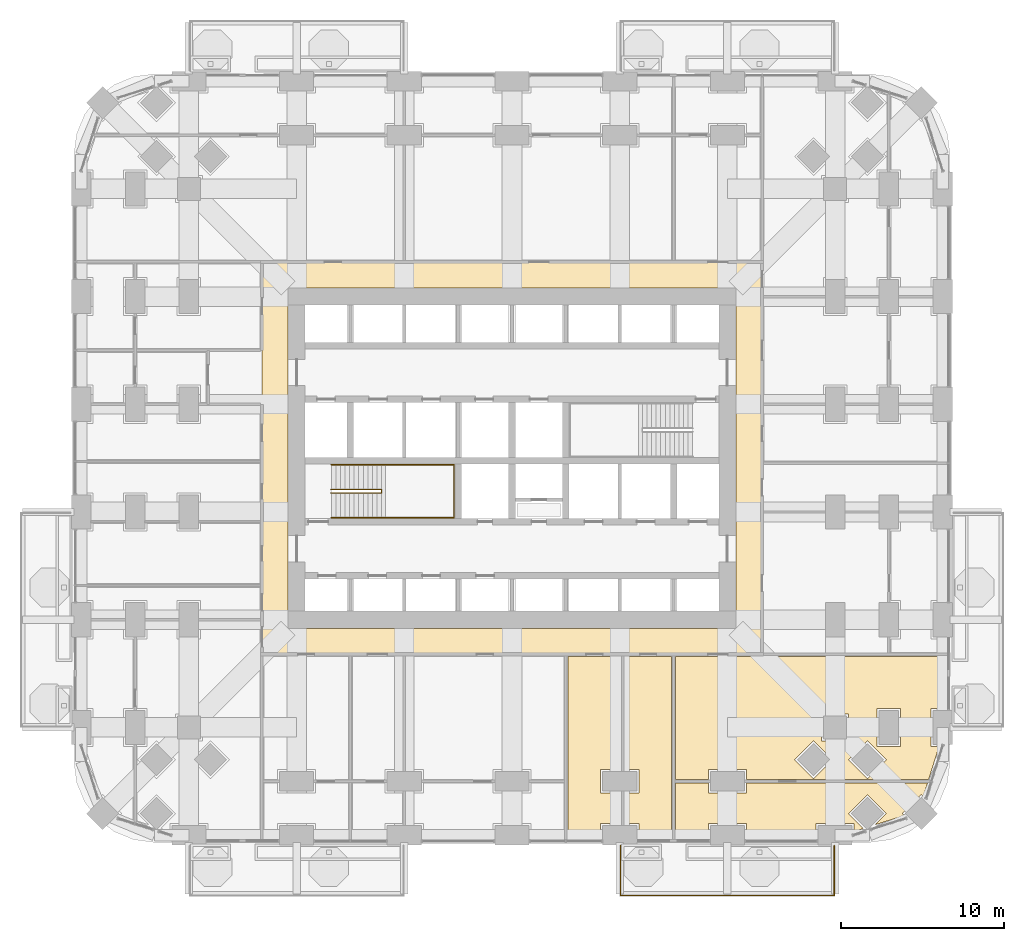
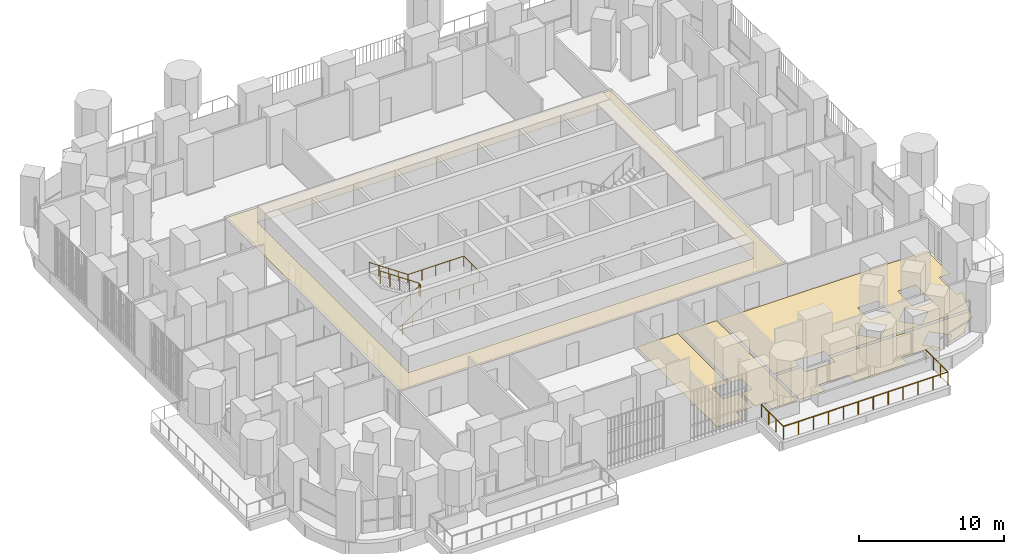
# One storey, part 24 of 27: 5 coverings, 3 railings.
"""IFC4 building model written with IfcOpenShell, lengths in metres."""

import ifcopenshell
import ifcopenshell.guid

model = None  # the IFC model being written
_history = None  # IfcOwnerHistory: only IFC2X3 demands one
_inside = {}  # id of a spatial element -> (the spatial element, [elements in it])
_under = {}  # id of a project, library or spatial element -> (it, [spatial elements below it])
_declared = {}  # id of a project -> (the project, [libraries it declares])
_typed = {}  # id of a type object -> (the type object, [elements of that type])
_made_of = {}  # id of a material, layer set ... -> (it, [elements and type objects made of it])


def new_model(schema):
    """Start an empty IFC model of exactly this schema.

    Asked for "IFC4X3", IfcOpenShell would pick the latest addendum, in which some entities
    have other attributes; the version numbers below select the first issue.
    IFC2X3 requires an IfcOwnerHistory on every rooted entity: one is made here for all.
    """
    global model, _history
    if schema == "IFC4X3":
        model = ifcopenshell.file(schema_version=(4, 3, 0, 0))
    else:
        model = ifcopenshell.file(schema=schema)
    _inside.clear()
    _under.clear()
    _declared.clear()
    _typed.clear()
    _made_of.clear()
    _history = None
    if model.schema == "IFC2X3":
        org = make("IfcOrganization", Name="unknown")
        user = make(
            "IfcPersonAndOrganization",
            ThePerson=make("IfcPerson", FamilyName="unknown"),
            TheOrganization=org,
        )
        app = make(
            "IfcApplication",
            ApplicationDeveloper=org,
            Version="unknown",
            ApplicationFullName="unknown",
            ApplicationIdentifier="unknown",
        )
        _history = make(
            "IfcOwnerHistory",
            OwningUser=user,
            OwningApplication=app,
            ChangeAction="ADDED",
            CreationDate=0,
        )
    return model


def make(cls, **values):
    """One entity of the class cls with the attributes given. An attribute that is None is left unset."""
    return model.create_entity(
        cls, **{name: value for name, value in values.items() if value is not None}
    )


def rooted(cls, **values):
    """An entity with a GlobalId (a new one), such as an element, a storey or a relation."""
    return make(cls, GlobalId=ifcopenshell.guid.new(), OwnerHistory=_history, **values)


def si_unit(unit_type, name, prefix=None):
    """IfcSIUnit, for example si_unit("LENGTHUNIT", "METRE", prefix="MILLI")."""
    return make("IfcSIUnit", UnitType=unit_type, Prefix=prefix, Name=name)


def assignment(units):
    """IfcUnitAssignment: the units of a project."""
    return None if units is None else make("IfcUnitAssignment", Units=units)


def point(xyz):
    """IfcCartesianPoint."""
    return None if xyz is None else make("IfcCartesianPoint", Coordinates=xyz)


def direction(xyz):
    """IfcDirection."""
    return None if xyz is None else make("IfcDirection", DirectionRatios=xyz)


def frame(location, z_axis=None, x_axis=None):
    """IfcAxis2Placement3D, a coordinate frame: its origin and axes. An axis left out is left unset."""
    return make(
        "IfcAxis2Placement3D",
        Location=point(location),
        Axis=direction(z_axis),
        RefDirection=direction(x_axis),
    )


def origin():
    """The frame at (0, 0, 0) with its axes left unset."""
    return frame((0.0, 0.0, 0.0))


def place(relative_to, where):
    """IfcLocalPlacement: puts the frame where relative to a parent placement (None: the world)."""
    return make(
        "IfcLocalPlacement", PlacementRelTo=relative_to, RelativePlacement=where
    )


def context(
    kind, dimensions, precision=None, world=None, true_north=None, identifier=None
):
    """IfcGeometricRepresentationContext, for example the 3D "Model" context."""
    return make(
        "IfcGeometricRepresentationContext",
        ContextIdentifier=identifier,
        ContextType=kind,
        CoordinateSpaceDimension=dimensions,
        Precision=precision,
        WorldCoordinateSystem=world,
        TrueNorth=true_north,
    )


def subcontext(parent, identifier, kind, view, scale=None):
    """IfcGeometricRepresentationSubContext, for example "Body" below "Model"."""
    return make(
        "IfcGeometricRepresentationSubContext",
        ContextIdentifier=identifier,
        ContextType=kind,
        ParentContext=parent,
        TargetScale=scale,
        TargetView=view,
    )


def project(units=None, contexts=None):
    """IfcProject with its units and contexts."""
    return rooted(
        "IfcProject",
        Name="project",
        RepresentationContexts=contexts,
        UnitsInContext=assignment(units),
    )


def spatial(cls, under=None, at=None, **own):
    """A site, building, storey or space (cls), placed at a placement, below another one or the project."""
    s = rooted(cls, ObjectPlacement=at, **own)
    if under is not None:
        _under.setdefault(under.id(), (under, []))[1].append(s)
    return s


def polyline(points):
    """IfcPolyline through the points."""
    return make("IfcPolyline", Points=[point(p) for p in points])


def outline(outer, holes=None, kind="AREA"):
    """IfcArbitraryClosedProfileDef: a profile drawn as a closed curve; with holes, ...WithVoids."""
    if holes is None:
        return make("IfcArbitraryClosedProfileDef", ProfileType=kind, OuterCurve=outer)
    return make(
        "IfcArbitraryProfileDefWithVoids",
        ProfileType=kind,
        OuterCurve=outer,
        InnerCurves=holes,
    )


def extrude(swept, where, along, depth):
    """IfcExtrudedAreaSolid: the profile swept, set in the frame where, extruded along a direction by depth."""
    return make(
        "IfcExtrudedAreaSolid",
        SweptArea=swept,
        Position=where,
        ExtrudedDirection=direction(along),
        Depth=depth,
    )


def shape(context_of_items, identifier, shape_type, items):
    """IfcShapeRepresentation: the items that make up one representation, for example the "Body"."""
    return make(
        "IfcShapeRepresentation",
        ContextOfItems=context_of_items,
        RepresentationIdentifier=identifier,
        RepresentationType=shape_type,
        Items=items,
    )


def material(Name=None, Category=None):
    """IfcMaterial."""
    return make("IfcMaterial", Name=Name, Category=Category)


def layer(
    of_material, thickness, ventilated=None, Name=None, Category=None, Priority=None
):
    """IfcMaterialLayer: one layer of a wall or slab, of a material (None: an air gap)."""
    return make(
        "IfcMaterialLayer",
        Material=of_material,
        LayerThickness=thickness,
        IsVentilated=ventilated,
        Name=Name,
        Category=Category,
        Priority=Priority,
    )


def layer_set(layers, Name=None):
    """IfcMaterialLayerSet."""
    return make("IfcMaterialLayerSet", MaterialLayers=layers, LayerSetName=Name)


def made_of(thing, what):
    """Note that an element or type object is made of a material, layer set ...; save() writes the relation."""
    if what is not None:
        _made_of.setdefault(what.id(), (what, []))[1].append(thing)
    return thing


def type_object(cls, material=None, **own):
    """A type object (cls), such as IfcWallType, which elements share."""
    return made_of(rooted(cls, **own), material)


def element(
    cls,
    number,
    at=None,
    inside=None,
    cuts=None,
    type_object=None,
    material=None,
    context=None,
    identifier="Body",
    shape_type=None,
    held_by="IfcProductDefinitionShape",
    body=None,
    shapes=None,
    **own,
):
    """One element of the class cls, such as IfcWall. Its Tag is "e" and its number.

    at: its placement. inside: the storey or other place that contains it. cuts: it is an
    opening in that element (IfcRelVoidsElement). A single representation is given by context,
    identifier, shape_type and body (its items); several are given by shapes. held_by: the class
    of the entity that holds the representations. save() writes the other relations.
    """
    e = rooted(cls, Tag="e%d" % number, ObjectPlacement=at, **own)
    if body is not None:
        shapes = [shape(context, identifier, shape_type, body)]
    if shapes is not None:
        e.Representation = make(held_by, Representations=shapes)
    if inside is not None:
        _inside.setdefault(inside.id(), (inside, []))[1].append(e)
    if cuts is not None:
        rooted(
            "IfcRelVoidsElement", RelatingBuildingElement=cuts, RelatedOpeningElement=e
        )
    if type_object is not None:
        _typed.setdefault(type_object.id(), (type_object, []))[1].append(e)
    return made_of(e, material)


def aggregate(whole, parts):
    """IfcRelAggregates: a whole, such as a stair, and the parts it consists of."""
    return rooted("IfcRelAggregates", RelatingObject=whole, RelatedObjects=parts)


def save(model, path):
    """Write the relations noted so far, then the file.

    IfcRelAggregates (storeys below a building ...), IfcRelContainedInSpatialStructure (elements
    in a storey), IfcRelDefinesByType, IfcRelAssociatesMaterial and IfcRelDeclares: one each for
    every whole, place, type object, material and project.
    """
    for whole, parts in _under.values():
        aggregate(whole, parts)
    for where, things in _inside.values():
        rooted(
            "IfcRelContainedInSpatialStructure",
            RelatedElements=things,
            RelatingStructure=where,
        )
    for kind, things in _typed.values():
        rooted("IfcRelDefinesByType", RelatedObjects=things, RelatingType=kind)
    for what, things in _made_of.values():
        rooted("IfcRelAssociatesMaterial", RelatedObjects=things, RelatingMaterial=what)
    for by, libraries in _declared.values():
        rooted("IfcRelDeclares", RelatingContext=by, RelatedDefinitions=libraries)
    model.write(path)


model = new_model("IFC4")

# Units and contexts
model_context = context("Model", 3, precision=1e-05, world=origin(), true_north=direction((0.0, 1.0)))
body_context = subcontext(model_context, "Body", "Model", "MODEL_VIEW")
ifc_project = project(units=[si_unit("LENGTHUNIT", "METRE"), si_unit("AREAUNIT", "SQUARE_METRE"), si_unit("VOLUMEUNIT", "CUBIC_METRE"), si_unit("PLANEANGLEUNIT", "RADIAN"), si_unit("MASSUNIT", "GRAM", prefix="KILO")], contexts=[model_context])

# Site, building, storey
site_placement = place(None, origin())
site = spatial("IfcSite", under=ifc_project, at=site_placement, CompositionType="ELEMENT")
building_placement = place(site_placement, origin())
building = spatial("IfcBuilding", under=site, at=building_placement, Name="Cobogo Forest Laboratory Tower", CompositionType="ELEMENT")
storey_placement = place(building_placement, frame((0.0, 0.0, 46.5)))
storey = spatial("IfcBuildingStorey", under=building, at=storey_placement, Name="L10", CompositionType="ELEMENT", Elevation=46.5)

# Railing
ifc_material_1 = material(Name="Laminated glass balustrade", Category="glass")
railing_type_1 = type_object("IfcRailingType", Name="BG1 glass balustrade 1100", PredefinedType="GUARDRAIL", material=ifc_material_1)
railing_1_placement = place(storey_placement, frame((33.050048828125, -0.64990234375, 0.0)))
element("IfcRailing", 1, at=railing_1_placement, inside=storey, type_object=railing_type_1, Name="Balcony balustrade BAL-S2 L10", PredefinedType="GUARDRAIL", context=body_context, shape_type="SweptSolid", body=[
    extrude(outline(polyline([(0.022216796875, 0.00927734375), (0.00927734375, 0.022216796875), (-0.00927734375, 0.022216796875), (-0.022216796875, 0.00927734375), (-0.022216796875, -0.00927734375), (-0.00927734375, -0.022216796875), (0.00927734375, -0.022216796875), (0.022216796875, -0.00927734375), (0.022216796875, 0.00927734375)])), frame((0.0, 0.0, 1.077880859375), z_axis=(0.0, -1.0, 0.0), x_axis=(1.0, 0.0, 0.0)), (0.0, 0.0, 1.0), 3.050048828125),
    extrude(outline(polyline([(0.022216796875, 0.00927734375), (0.00927734375, 0.022216796875), (-0.00927734375, 0.022216796875), (-0.022216796875, 0.00927734375), (-0.022216796875, -0.00927734375), (-0.00927734375, -0.022216796875), (0.00927734375, -0.022216796875), (0.022216796875, -0.00927734375), (0.022216796875, 0.00927734375)])), frame((0.0, -3.050048828125, 1.077880859375), z_axis=(1.0, 0.0, 0.0), x_axis=(0.0, 1.0, 0.0)), (0.0, 0.0, 1.0), 13.099853515625),
    extrude(outline(polyline([(0.022216796875, 0.00927734375), (0.00927734375, 0.022216796875), (-0.00927734375, 0.022216796875), (-0.022216796875, 0.00927734375), (-0.022216796875, -0.00927734375), (-0.00927734375, -0.022216796875), (0.00927734375, -0.022216796875), (0.022216796875, -0.00927734375), (0.022216796875, 0.00927734375)])), frame((13.099853515625, -3.050048828125, 1.077880859375), z_axis=(0.0, 1.0, 0.0), x_axis=(-1.0, 0.0, 0.0)), (0.0, 0.0, 1.0), 3.050048828125),
    extrude(outline(polyline([(0.019287109375, 0.008056640625), (0.008056640625, 0.019287109375), (-0.008056640625, 0.019287109375), (-0.019287109375, 0.008056640625), (-0.019287109375, -0.008056640625), (-0.008056640625, -0.019287109375), (0.008056640625, -0.019287109375), (0.019287109375, -0.008056640625), (0.019287109375, 0.008056640625)])), origin(), (0.0, 0.0, 1.0), 1.077880859375),
    extrude(outline(polyline([(0.019287109375, 0.008056640625), (0.008056640625, 0.019287109375), (-0.008056640625, 0.019287109375), (-0.019287109375, 0.008056640625), (-0.019287109375, -0.008056640625), (-0.008056640625, -0.019287109375), (0.008056640625, -0.019287109375), (0.019287109375, -0.008056640625), (0.019287109375, 0.008056640625)])), frame((0.0, -1.0166015625, 0.0)), (0.0, 0.0, 1.0), 1.077880859375),
    extrude(outline(polyline([(0.019287109375, 0.008056640625), (0.008056640625, 0.019287109375), (-0.008056640625, 0.019287109375), (-0.019287109375, 0.008056640625), (-0.019287109375, -0.008056640625), (-0.008056640625, -0.019287109375), (0.008056640625, -0.019287109375), (0.019287109375, -0.008056640625), (0.019287109375, 0.008056640625)])), frame((0.0, -2.033447265625, 0.0)), (0.0, 0.0, 1.0), 1.077880859375),
    extrude(outline(polyline([(0.019287109375, 0.008056640625), (0.008056640625, 0.019287109375), (-0.008056640625, 0.019287109375), (-0.019287109375, 0.008056640625), (-0.019287109375, -0.008056640625), (-0.008056640625, -0.019287109375), (0.008056640625, -0.019287109375), (0.019287109375, -0.008056640625), (0.019287109375, 0.008056640625)])), frame((0.0, -3.050048828125, 0.0)), (0.0, 0.0, 1.0), 1.077880859375),
    extrude(outline(polyline([(0.019287109375, 0.008056640625), (0.008056640625, 0.019287109375), (-0.008056640625, 0.019287109375), (-0.019287109375, 0.008056640625), (-0.019287109375, -0.008056640625), (-0.008056640625, -0.019287109375), (0.008056640625, -0.019287109375), (0.019287109375, -0.008056640625), (0.019287109375, 0.008056640625)])), frame((1.19091796875, -3.050048828125, 0.0)), (0.0, 0.0, 1.0), 1.077880859375),
    extrude(outline(polyline([(0.019287109375, 0.008056640625), (0.008056640625, 0.019287109375), (-0.008056640625, 0.019287109375), (-0.019287109375, 0.008056640625), (-0.019287109375, -0.008056640625), (-0.008056640625, -0.019287109375), (0.008056640625, -0.019287109375), (0.019287109375, -0.008056640625), (0.019287109375, 0.008056640625)])), frame((2.3818359375, -3.050048828125, 0.0)), (0.0, 0.0, 1.0), 1.077880859375),
    extrude(outline(polyline([(0.019287109375, 0.008056640625), (0.008056640625, 0.019287109375), (-0.008056640625, 0.019287109375), (-0.019287109375, 0.008056640625), (-0.019287109375, -0.008056640625), (-0.008056640625, -0.019287109375), (0.008056640625, -0.019287109375), (0.019287109375, -0.008056640625), (0.019287109375, 0.008056640625)])), frame((3.57275390625, -3.050048828125, 0.0)), (0.0, 0.0, 1.0), 1.077880859375),
    extrude(outline(polyline([(0.019287109375, 0.008056640625), (0.008056640625, 0.019287109375), (-0.008056640625, 0.019287109375), (-0.019287109375, 0.008056640625), (-0.019287109375, -0.008056640625), (-0.008056640625, -0.019287109375), (0.008056640625, -0.019287109375), (0.019287109375, -0.008056640625), (0.019287109375, 0.008056640625)])), frame((4.763671875, -3.050048828125, 0.0)), (0.0, 0.0, 1.0), 1.077880859375),
    extrude(outline(polyline([(0.019287109375, 0.008056640625), (0.008056640625, 0.019287109375), (-0.008056640625, 0.019287109375), (-0.019287109375, 0.008056640625), (-0.019287109375, -0.008056640625), (-0.008056640625, -0.019287109375), (0.008056640625, -0.019287109375), (0.019287109375, -0.008056640625), (0.019287109375, 0.008056640625)])), frame((5.95458984375, -3.050048828125, 0.0)), (0.0, 0.0, 1.0), 1.077880859375),
    extrude(outline(polyline([(0.019287109375, 0.008056640625), (0.008056640625, 0.019287109375), (-0.008056640625, 0.019287109375), (-0.019287109375, 0.008056640625), (-0.019287109375, -0.008056640625), (-0.008056640625, -0.019287109375), (0.008056640625, -0.019287109375), (0.019287109375, -0.008056640625), (0.019287109375, 0.008056640625)])), frame((7.145263671875, -3.050048828125, 0.0)), (0.0, 0.0, 1.0), 1.077880859375),
    extrude(outline(polyline([(0.019287109375, 0.008056640625), (0.008056640625, 0.019287109375), (-0.008056640625, 0.019287109375), (-0.019287109375, 0.008056640625), (-0.019287109375, -0.008056640625), (-0.008056640625, -0.019287109375), (0.008056640625, -0.019287109375), (0.019287109375, -0.008056640625), (0.019287109375, 0.008056640625)])), frame((8.336181640625, -3.050048828125, 0.0)), (0.0, 0.0, 1.0), 1.077880859375),
    extrude(outline(polyline([(0.019287109375, 0.008056640625), (0.008056640625, 0.019287109375), (-0.008056640625, 0.019287109375), (-0.019287109375, 0.008056640625), (-0.019287109375, -0.008056640625), (-0.008056640625, -0.019287109375), (0.008056640625, -0.019287109375), (0.019287109375, -0.008056640625), (0.019287109375, 0.008056640625)])), frame((9.527099609375, -3.050048828125, 0.0)), (0.0, 0.0, 1.0), 1.077880859375),
    extrude(outline(polyline([(0.019287109375, 0.008056640625), (0.008056640625, 0.019287109375), (-0.008056640625, 0.019287109375), (-0.019287109375, 0.008056640625), (-0.019287109375, -0.008056640625), (-0.008056640625, -0.019287109375), (0.008056640625, -0.019287109375), (0.019287109375, -0.008056640625), (0.019287109375, 0.008056640625)])), frame((10.718017578125, -3.050048828125, 0.0)), (0.0, 0.0, 1.0), 1.077880859375),
    extrude(outline(polyline([(0.019287109375, 0.008056640625), (0.008056640625, 0.019287109375), (-0.008056640625, 0.019287109375), (-0.019287109375, 0.008056640625), (-0.019287109375, -0.008056640625), (-0.008056640625, -0.019287109375), (0.008056640625, -0.019287109375), (0.019287109375, -0.008056640625), (0.019287109375, 0.008056640625)])), frame((11.908935546875, -3.050048828125, 0.0)), (0.0, 0.0, 1.0), 1.077880859375),
    extrude(outline(polyline([(0.019287109375, 0.008056640625), (0.008056640625, 0.019287109375), (-0.008056640625, 0.019287109375), (-0.019287109375, 0.008056640625), (-0.019287109375, -0.008056640625), (-0.008056640625, -0.019287109375), (0.008056640625, -0.019287109375), (0.019287109375, -0.008056640625), (0.019287109375, 0.008056640625)])), frame((13.099853515625, -3.050048828125, 0.0)), (0.0, 0.0, 1.0), 1.077880859375),
    extrude(outline(polyline([(0.019287109375, 0.008056640625), (0.008056640625, 0.019287109375), (-0.008056640625, 0.019287109375), (-0.019287109375, 0.008056640625), (-0.019287109375, -0.008056640625), (-0.008056640625, -0.019287109375), (0.008056640625, -0.019287109375), (0.019287109375, -0.008056640625), (0.019287109375, 0.008056640625)])), frame((13.099853515625, -2.033447265625, 0.0)), (0.0, 0.0, 1.0), 1.077880859375),
    extrude(outline(polyline([(0.019287109375, 0.008056640625), (0.008056640625, 0.019287109375), (-0.008056640625, 0.019287109375), (-0.019287109375, 0.008056640625), (-0.019287109375, -0.008056640625), (-0.008056640625, -0.019287109375), (0.008056640625, -0.019287109375), (0.019287109375, -0.008056640625), (0.019287109375, 0.008056640625)])), frame((13.099853515625, -1.0166015625, 0.0)), (0.0, 0.0, 1.0), 1.077880859375),
    extrude(outline(polyline([(0.019287109375, 0.008056640625), (0.008056640625, 0.019287109375), (-0.008056640625, 0.019287109375), (-0.019287109375, 0.008056640625), (-0.019287109375, -0.008056640625), (-0.008056640625, -0.019287109375), (0.008056640625, -0.019287109375), (0.019287109375, -0.008056640625), (0.019287109375, 0.008056640625)])), frame((13.099853515625, 0.0, 0.0)), (0.0, 0.0, 1.0), 1.077880859375),
])

# Coverings
ifc_material_2 = material(Name="Mineral fibre ceiling tile", Category="ceiling")
ifc_layer_1 = layer(ifc_material_2, 0.02001953125)
ifc_layer_set_1 = layer_set([ifc_layer_1], Name="CL1 suspended ceiling")
covering_type_1 = type_object("IfcCoveringType", Name="CL1 suspended ceiling", PredefinedType="CEILING", material=ifc_layer_set_1)
covering_1_placement = place(storey_placement, frame((0.0, 0.0, 2.800048828125)))
element("IfcCovering", 2, at=covering_1_placement, inside=storey, type_object=covering_type_1, Name="Corridor ceiling L10", PredefinedType="CEILING", context=body_context, shape_type="SweptSolid", body=[
    extrude(outline(polyline([(11.074951171875, 11.074951171875), (11.074951171875, 35.125), (41.72509765625, 35.125), (41.72509765625, 11.074951171875), (11.074951171875, 11.074951171875)]), holes=[polyline([(40.125, 33.52490234375), (12.675048828125, 33.52490234375), (12.675048828125, 12.675048828125), (40.125, 12.675048828125), (40.125, 33.52490234375)])]), origin(), (0.0, 0.0, 1.0), 0.02001953125),
])
ifc_material_3 = material(Name="Carpet tile on raised access floor", Category="flooring")
ifc_layer_2 = layer(ifc_material_3, 0.008056640625)
ifc_layer_set_2 = layer_set([ifc_layer_2], Name="CT1 carpet tile floor 8")
covering_type_2 = type_object("IfcCoveringType", Name="CT1 carpet tile floor 8", PredefinedType="FLOORING", material=ifc_layer_set_2)
covering_2_placement = place(storey_placement, origin())
element("IfcCovering", 3, at=covering_2_placement, inside=storey, type_object=covering_type_2, Name="Carpet floor L10-07", PredefinedType="FLOORING", context=body_context, shape_type="SweptSolid", body=[
    extrude(outline(polyline([(33.080078125, 10.955078125), (33.080078125, 4.02001953125), (31.830078125, 4.02001953125), (31.830078125, 2.580078125), (33.080078125, 2.580078125), (33.080078125, 0.719970703125), (31.830078125, 0.719970703125), (31.830078125, -0.14990234375), (29.820068359375, -0.14990234375), (29.820068359375, 10.955078125), (33.080078125, 10.955078125)])), origin(), (0.0, 0.0, 1.0), 0.008056640625),
])
covering_3_placement = place(storey_placement, origin())
element("IfcCovering", 4, at=covering_3_placement, inside=storey, type_object=covering_type_2, Name="Carpet floor L10-10", PredefinedType="FLOORING", context=body_context, shape_type="SweptSolid", body=[
    extrude(outline(polyline([(38.429931640625, 3.179931640625), (38.429931640625, 2.580078125), (40.77001953125, 2.580078125), (40.77001953125, 3.179931640625), (51.8603515625, 3.179931640625), (51.600830078125, 2.358642578125), (51.48193359375, 2.477783203125), (50.322265625, 1.318115234375), (50.441162109375, 1.19921875), (48.660400390625, 0.63671875), (49.341552734375, 1.318115234375), (48.181884765625, 2.477783203125), (47.022216796875, 1.318115234375), (47.933349609375, 0.406982421875), (47.3701171875, 0.229248046875), (47.3701171875, 0.719970703125), (45.030029296875, 0.719970703125), (45.030029296875, -0.14990234375), (40.77001953125, -0.14990234375), (40.77001953125, 0.719970703125), (38.429931640625, 0.719970703125), (38.429931640625, -0.14990234375), (36.419921875, -0.14990234375), (36.419921875, 3.179931640625), (38.429931640625, 3.179931640625)])), origin(), (0.0, 0.0, 1.0), 0.008056640625),
])

# Railings
ifc_material_4 = material(Name="Steel balustrade", Category="steel")
railing_type_2 = type_object("IfcRailingType", Name="GR stair guard 1100", PredefinedType="GUARDRAIL", material=ifc_material_4)
railing_2_placement = place(storey_placement, frame((15.324951171875, 20.969970703125, 0.175048828125)))
element("IfcRailing", 5, at=railing_2_placement, inside=storey, type_object=railing_type_2, Name="Stair guard ST1 L10", PredefinedType="GUARDRAIL", context=body_context, shape_type="SweptSolid", body=[
    extrude(outline(polyline([(0.022216796875, 0.00927734375), (0.00927734375, 0.022216796875), (-0.00927734375, 0.022216796875), (-0.022216796875, 0.00927734375), (-0.022216796875, -0.00927734375), (-0.00927734375, -0.022216796875), (0.00927734375, -0.022216796875), (0.022216796875, -0.00927734375), (0.022216796875, 0.00927734375)])), frame((0.0, 0.0, 1.077880859375), z_axis=(0.847998304005, 0.0, 0.529998940003), x_axis=(0.0, 1.0, 0.0)), (0.0, 0.0, 1.0), 3.632080078125),
    extrude(outline(polyline([(0.022216796875, 0.00927734375), (0.00927734375, 0.022216796875), (-0.00927734375, 0.022216796875), (-0.022216796875, 0.00927734375), (-0.022216796875, -0.00927734375), (-0.00927734375, -0.022216796875), (0.00927734375, -0.022216796875), (0.022216796875, -0.00927734375), (0.022216796875, 0.00927734375)])), frame((3.080078125, 0.0, 3.0029296875), z_axis=(0.0, 1.0, 0.0), x_axis=(-1.0, 0.0, 0.0)), (0.0, 0.0, 1.0), 0.2099609375),
    extrude(outline(polyline([(0.022216796875, 0.00927734375), (0.00927734375, 0.022216796875), (-0.00927734375, 0.022216796875), (-0.022216796875, 0.00927734375), (-0.022216796875, -0.00927734375), (-0.00927734375, -0.022216796875), (0.00927734375, -0.022216796875), (0.022216796875, -0.00927734375), (0.022216796875, 0.00927734375)])), frame((3.080078125, 0.2099609375, 3.0029296875), z_axis=(-0.826252282691, 0.0, 0.563300244406), x_axis=(0.0, -1.0, 0.0)), (0.0, 0.0, 1.0), 3.727783203125),
    extrude(outline(polyline([(0.019287109375, 0.008056640625), (0.008056640625, 0.019287109375), (-0.008056640625, 0.019287109375), (-0.019287109375, 0.008056640625), (-0.019287109375, -0.008056640625), (-0.008056640625, -0.019287109375), (0.008056640625, -0.019287109375), (0.019287109375, -0.008056640625), (0.019287109375, 0.008056640625)])), origin(), (0.0, 0.0, 1.0), 1.077880859375),
    extrude(outline(polyline([(0.019287109375, 0.008056640625), (0.008056640625, 0.019287109375), (-0.008056640625, 0.019287109375), (-0.019287109375, 0.008056640625), (-0.019287109375, -0.008056640625), (-0.008056640625, -0.019287109375), (0.008056640625, -0.019287109375), (0.019287109375, -0.008056640625), (0.019287109375, 0.008056640625)])), frame((0.77001953125, 0.0, 0.481201171875)), (0.0, 0.0, 1.0), 1.077880859375),
    extrude(outline(polyline([(0.019287109375, 0.008056640625), (0.008056640625, 0.019287109375), (-0.008056640625, 0.019287109375), (-0.019287109375, 0.008056640625), (-0.019287109375, -0.008056640625), (-0.008056640625, -0.019287109375), (0.008056640625, -0.019287109375), (0.019287109375, -0.008056640625), (0.019287109375, 0.008056640625)])), frame((1.5400390625, 0.0, 0.96240234375)), (0.0, 0.0, 1.0), 1.077880859375),
    extrude(outline(polyline([(0.019287109375, 0.008056640625), (0.008056640625, 0.019287109375), (-0.008056640625, 0.019287109375), (-0.019287109375, 0.008056640625), (-0.019287109375, -0.008056640625), (-0.008056640625, -0.019287109375), (0.008056640625, -0.019287109375), (0.019287109375, -0.008056640625), (0.019287109375, 0.008056640625)])), frame((2.31005859375, 0.0, 1.44384765625)), (0.0, 0.0, 1.0), 1.077880859375),
    extrude(outline(polyline([(0.019287109375, 0.008056640625), (0.008056640625, 0.019287109375), (-0.008056640625, 0.019287109375), (-0.019287109375, 0.008056640625), (-0.019287109375, -0.008056640625), (-0.008056640625, -0.019287109375), (0.008056640625, -0.019287109375), (0.019287109375, -0.008056640625), (0.019287109375, 0.008056640625)])), frame((3.080078125, 0.0, 1.925048828125)), (0.0, 0.0, 1.0), 1.077880859375),
    extrude(outline(polyline([(0.019287109375, 0.008056640625), (0.008056640625, 0.019287109375), (-0.008056640625, 0.019287109375), (-0.019287109375, 0.008056640625), (-0.019287109375, -0.008056640625), (-0.008056640625, -0.019287109375), (0.008056640625, -0.019287109375), (0.019287109375, -0.008056640625), (0.019287109375, 0.008056640625)])), frame((3.080078125, 0.2099609375, 1.925048828125)), (0.0, 0.0, 1.0), 1.077880859375),
    extrude(outline(polyline([(0.019287109375, 0.008056640625), (0.008056640625, 0.019287109375), (-0.008056640625, 0.019287109375), (-0.019287109375, 0.008056640625), (-0.019287109375, -0.008056640625), (-0.008056640625, -0.019287109375), (0.008056640625, -0.019287109375), (0.019287109375, -0.008056640625), (0.019287109375, 0.008056640625)])), frame((2.31005859375, 0.2099609375, 2.449951171875)), (0.0, 0.0, 1.0), 1.077880859375),
    extrude(outline(polyline([(0.019287109375, 0.008056640625), (0.008056640625, 0.019287109375), (-0.008056640625, 0.019287109375), (-0.019287109375, 0.008056640625), (-0.019287109375, -0.008056640625), (-0.008056640625, -0.019287109375), (0.008056640625, -0.019287109375), (0.019287109375, -0.008056640625), (0.019287109375, 0.008056640625)])), frame((1.5400390625, 0.2099609375, 2.97509765625)), (0.0, 0.0, 1.0), 1.077880859375),
    extrude(outline(polyline([(0.019287109375, 0.008056640625), (0.008056640625, 0.019287109375), (-0.008056640625, 0.019287109375), (-0.019287109375, 0.008056640625), (-0.019287109375, -0.008056640625), (-0.008056640625, -0.019287109375), (0.008056640625, -0.019287109375), (0.019287109375, -0.008056640625), (0.019287109375, 0.008056640625)])), frame((0.77001953125, 0.2099609375, 3.5)), (0.0, 0.0, 1.0), 1.077880859375),
    extrude(outline(polyline([(0.019287109375, 0.008056640625), (0.008056640625, 0.019287109375), (-0.008056640625, 0.019287109375), (-0.019287109375, 0.008056640625), (-0.019287109375, -0.008056640625), (-0.008056640625, -0.019287109375), (0.008056640625, -0.019287109375), (0.019287109375, -0.008056640625), (0.019287109375, 0.008056640625)])), frame((0.0, 0.2099609375, 4.02490234375)), (0.0, 0.0, 1.0), 1.077880859375),
])
ifc_material_5 = material(Name="Stainless steel handrail", Category="steel")
railing_type_3 = type_object("IfcRailingType", Name="HR handrail 900", PredefinedType="HANDRAIL", material=ifc_material_5)
railing_3_placement = place(storey_placement, frame((15.324951171875, 19.449951171875, 0.175048828125)))
element("IfcRailing", 6, at=railing_3_placement, inside=storey, type_object=railing_type_3, Name="Stair handrail ST1 L10", PredefinedType="HANDRAIL", context=body_context, shape_type="SweptSolid", body=[
    extrude(outline(polyline([(0.022216796875, 0.00927734375), (0.00927734375, 0.022216796875), (-0.00927734375, 0.022216796875), (-0.022216796875, 0.00927734375), (-0.022216796875, -0.00927734375), (-0.00927734375, -0.022216796875), (0.00927734375, -0.022216796875), (0.022216796875, -0.00927734375), (0.022216796875, 0.00927734375)])), frame((0.0, 0.0, 0.877685546875), z_axis=(0.847998304005, 0.0, 0.529998940003), x_axis=(0.0, 1.0, 0.0)), (0.0, 0.0, 1.0), 3.632080078125),
    extrude(outline(polyline([(0.022216796875, 0.00927734375), (0.00927734375, 0.022216796875), (-0.00927734375, 0.022216796875), (-0.022216796875, 0.00927734375), (-0.022216796875, -0.00927734375), (-0.00927734375, -0.022216796875), (0.00927734375, -0.022216796875), (0.022216796875, -0.00927734375), (0.022216796875, 0.00927734375)])), frame((3.080078125, 0.0, 2.802734375), z_axis=(1.0, 0.0, 0.0), x_axis=(0.0, 1.0, 0.0)), (0.0, 0.0, 1.0), 4.445068359375),
    extrude(outline(polyline([(0.022216796875, 0.00927734375), (0.00927734375, 0.022216796875), (-0.00927734375, 0.022216796875), (-0.022216796875, 0.00927734375), (-0.022216796875, -0.00927734375), (-0.00927734375, -0.022216796875), (0.00927734375, -0.022216796875), (0.022216796875, -0.00927734375), (0.022216796875, 0.00927734375)])), frame((7.525146484375, 0.0, 2.802734375), z_axis=(0.0, 1.0, 0.0), x_axis=(-1.0, 0.0, 0.0)), (0.0, 0.0, 1.0), 3.25),
    extrude(outline(polyline([(0.022216796875, 0.00927734375), (0.00927734375, 0.022216796875), (-0.00927734375, 0.022216796875), (-0.022216796875, 0.00927734375), (-0.022216796875, -0.00927734375), (-0.00927734375, -0.022216796875), (0.00927734375, -0.022216796875), (0.022216796875, -0.00927734375), (0.022216796875, 0.00927734375)])), frame((7.525146484375, 3.25, 2.802734375), z_axis=(-1.0, 0.0, 0.0), x_axis=(0.0, -1.0, 0.0)), (0.0, 0.0, 1.0), 4.445068359375),
    extrude(outline(polyline([(0.022216796875, 0.00927734375), (0.00927734375, 0.022216796875), (-0.00927734375, 0.022216796875), (-0.022216796875, 0.00927734375), (-0.022216796875, -0.00927734375), (-0.00927734375, -0.022216796875), (0.00927734375, -0.022216796875), (0.022216796875, -0.00927734375), (0.022216796875, 0.00927734375)])), frame((3.080078125, 3.25, 2.802734375), z_axis=(-0.826252282691, 0.0, 0.563300244406), x_axis=(0.0, -1.0, 0.0)), (0.0, 0.0, 1.0), 3.727783203125),
    extrude(outline(polyline([(0.019287109375, 0.008056640625), (0.008056640625, 0.019287109375), (-0.008056640625, 0.019287109375), (-0.019287109375, 0.008056640625), (-0.019287109375, -0.008056640625), (-0.008056640625, -0.019287109375), (0.008056640625, -0.019287109375), (0.019287109375, -0.008056640625), (0.019287109375, 0.008056640625)])), origin(), (0.0, 0.0, 1.0), 0.877685546875),
    extrude(outline(polyline([(0.019287109375, 0.008056640625), (0.008056640625, 0.019287109375), (-0.008056640625, 0.019287109375), (-0.019287109375, 0.008056640625), (-0.019287109375, -0.008056640625), (-0.008056640625, -0.019287109375), (0.008056640625, -0.019287109375), (0.019287109375, -0.008056640625), (0.019287109375, 0.008056640625)])), frame((0.77001953125, 0.0, 0.481201171875)), (0.0, 0.0, 1.0), 0.877685546875),
    extrude(outline(polyline([(0.019287109375, 0.008056640625), (0.008056640625, 0.019287109375), (-0.008056640625, 0.019287109375), (-0.019287109375, 0.008056640625), (-0.019287109375, -0.008056640625), (-0.008056640625, -0.019287109375), (0.008056640625, -0.019287109375), (0.019287109375, -0.008056640625), (0.019287109375, 0.008056640625)])), frame((1.5400390625, 0.0, 0.96240234375)), (0.0, 0.0, 1.0), 0.877685546875),
    extrude(outline(polyline([(0.019287109375, 0.008056640625), (0.008056640625, 0.019287109375), (-0.008056640625, 0.019287109375), (-0.019287109375, 0.008056640625), (-0.019287109375, -0.008056640625), (-0.008056640625, -0.019287109375), (0.008056640625, -0.019287109375), (0.019287109375, -0.008056640625), (0.019287109375, 0.008056640625)])), frame((2.31005859375, 0.0, 1.44384765625)), (0.0, 0.0, 1.0), 0.877685546875),
    extrude(outline(polyline([(0.019287109375, 0.008056640625), (0.008056640625, 0.019287109375), (-0.008056640625, 0.019287109375), (-0.019287109375, 0.008056640625), (-0.019287109375, -0.008056640625), (-0.008056640625, -0.019287109375), (0.008056640625, -0.019287109375), (0.019287109375, -0.008056640625), (0.019287109375, 0.008056640625)])), frame((3.080078125, 0.0, 1.925048828125)), (0.0, 0.0, 1.0), 0.877685546875),
    extrude(outline(polyline([(0.019287109375, 0.008056640625), (0.008056640625, 0.019287109375), (-0.008056640625, 0.019287109375), (-0.019287109375, 0.008056640625), (-0.019287109375, -0.008056640625), (-0.008056640625, -0.019287109375), (0.008056640625, -0.019287109375), (0.019287109375, -0.008056640625), (0.019287109375, 0.008056640625)])), frame((4.19140625, 0.0, 1.925048828125)), (0.0, 0.0, 1.0), 0.877685546875),
    extrude(outline(polyline([(0.019287109375, 0.008056640625), (0.008056640625, 0.019287109375), (-0.008056640625, 0.019287109375), (-0.019287109375, 0.008056640625), (-0.019287109375, -0.008056640625), (-0.008056640625, -0.019287109375), (0.008056640625, -0.019287109375), (0.019287109375, -0.008056640625), (0.019287109375, 0.008056640625)])), frame((5.302734375, 0.0, 1.925048828125)), (0.0, 0.0, 1.0), 0.877685546875),
    extrude(outline(polyline([(0.019287109375, 0.008056640625), (0.008056640625, 0.019287109375), (-0.008056640625, 0.019287109375), (-0.019287109375, 0.008056640625), (-0.019287109375, -0.008056640625), (-0.008056640625, -0.019287109375), (0.008056640625, -0.019287109375), (0.019287109375, -0.008056640625), (0.019287109375, 0.008056640625)])), frame((6.413818359375, 0.0, 1.925048828125)), (0.0, 0.0, 1.0), 0.877685546875),
    extrude(outline(polyline([(0.019287109375, 0.008056640625), (0.008056640625, 0.019287109375), (-0.008056640625, 0.019287109375), (-0.019287109375, 0.008056640625), (-0.019287109375, -0.008056640625), (-0.008056640625, -0.019287109375), (0.008056640625, -0.019287109375), (0.019287109375, -0.008056640625), (0.019287109375, 0.008056640625)])), frame((7.525146484375, 0.0, 1.925048828125)), (0.0, 0.0, 1.0), 0.877685546875),
    extrude(outline(polyline([(0.019287109375, 0.008056640625), (0.008056640625, 0.019287109375), (-0.008056640625, 0.019287109375), (-0.019287109375, 0.008056640625), (-0.019287109375, -0.008056640625), (-0.008056640625, -0.019287109375), (0.008056640625, -0.019287109375), (0.019287109375, -0.008056640625), (0.019287109375, 0.008056640625)])), frame((7.525146484375, 1.083251953125, 1.925048828125)), (0.0, 0.0, 1.0), 0.877685546875),
    extrude(outline(polyline([(0.019287109375, 0.008056640625), (0.008056640625, 0.019287109375), (-0.008056640625, 0.019287109375), (-0.019287109375, 0.008056640625), (-0.019287109375, -0.008056640625), (-0.008056640625, -0.019287109375), (0.008056640625, -0.019287109375), (0.019287109375, -0.008056640625), (0.019287109375, 0.008056640625)])), frame((7.525146484375, 2.166748046875, 1.925048828125)), (0.0, 0.0, 1.0), 0.877685546875),
    extrude(outline(polyline([(0.019287109375, 0.008056640625), (0.008056640625, 0.019287109375), (-0.008056640625, 0.019287109375), (-0.019287109375, 0.008056640625), (-0.019287109375, -0.008056640625), (-0.008056640625, -0.019287109375), (0.008056640625, -0.019287109375), (0.019287109375, -0.008056640625), (0.019287109375, 0.008056640625)])), frame((7.525146484375, 3.25, 1.925048828125)), (0.0, 0.0, 1.0), 0.877685546875),
    extrude(outline(polyline([(0.019287109375, 0.008056640625), (0.008056640625, 0.019287109375), (-0.008056640625, 0.019287109375), (-0.019287109375, 0.008056640625), (-0.019287109375, -0.008056640625), (-0.008056640625, -0.019287109375), (0.008056640625, -0.019287109375), (0.019287109375, -0.008056640625), (0.019287109375, 0.008056640625)])), frame((6.413818359375, 3.25, 1.925048828125)), (0.0, 0.0, 1.0), 0.877685546875),
    extrude(outline(polyline([(0.019287109375, 0.008056640625), (0.008056640625, 0.019287109375), (-0.008056640625, 0.019287109375), (-0.019287109375, 0.008056640625), (-0.019287109375, -0.008056640625), (-0.008056640625, -0.019287109375), (0.008056640625, -0.019287109375), (0.019287109375, -0.008056640625), (0.019287109375, 0.008056640625)])), frame((5.302734375, 3.25, 1.925048828125)), (0.0, 0.0, 1.0), 0.877685546875),
    extrude(outline(polyline([(0.019287109375, 0.008056640625), (0.008056640625, 0.019287109375), (-0.008056640625, 0.019287109375), (-0.019287109375, 0.008056640625), (-0.019287109375, -0.008056640625), (-0.008056640625, -0.019287109375), (0.008056640625, -0.019287109375), (0.019287109375, -0.008056640625), (0.019287109375, 0.008056640625)])), frame((4.19140625, 3.25, 1.925048828125)), (0.0, 0.0, 1.0), 0.877685546875),
    extrude(outline(polyline([(0.019287109375, 0.008056640625), (0.008056640625, 0.019287109375), (-0.008056640625, 0.019287109375), (-0.019287109375, 0.008056640625), (-0.019287109375, -0.008056640625), (-0.008056640625, -0.019287109375), (0.008056640625, -0.019287109375), (0.019287109375, -0.008056640625), (0.019287109375, 0.008056640625)])), frame((3.080078125, 3.25, 1.925048828125)), (0.0, 0.0, 1.0), 0.877685546875),
    extrude(outline(polyline([(0.019287109375, 0.008056640625), (0.008056640625, 0.019287109375), (-0.008056640625, 0.019287109375), (-0.019287109375, 0.008056640625), (-0.019287109375, -0.008056640625), (-0.008056640625, -0.019287109375), (0.008056640625, -0.019287109375), (0.019287109375, -0.008056640625), (0.019287109375, 0.008056640625)])), frame((2.31005859375, 3.25, 2.449951171875)), (0.0, 0.0, 1.0), 0.877685546875),
    extrude(outline(polyline([(0.019287109375, 0.008056640625), (0.008056640625, 0.019287109375), (-0.008056640625, 0.019287109375), (-0.019287109375, 0.008056640625), (-0.019287109375, -0.008056640625), (-0.008056640625, -0.019287109375), (0.008056640625, -0.019287109375), (0.019287109375, -0.008056640625), (0.019287109375, 0.008056640625)])), frame((1.5400390625, 3.25, 2.97509765625)), (0.0, 0.0, 1.0), 0.877685546875),
    extrude(outline(polyline([(0.019287109375, 0.008056640625), (0.008056640625, 0.019287109375), (-0.008056640625, 0.019287109375), (-0.019287109375, 0.008056640625), (-0.019287109375, -0.008056640625), (-0.008056640625, -0.019287109375), (0.008056640625, -0.019287109375), (0.019287109375, -0.008056640625), (0.019287109375, 0.008056640625)])), frame((0.77001953125, 3.25, 3.5)), (0.0, 0.0, 1.0), 0.877685546875),
    extrude(outline(polyline([(0.019287109375, 0.008056640625), (0.008056640625, 0.019287109375), (-0.008056640625, 0.019287109375), (-0.019287109375, 0.008056640625), (-0.019287109375, -0.008056640625), (-0.008056640625, -0.019287109375), (0.008056640625, -0.019287109375), (0.019287109375, -0.008056640625), (0.019287109375, 0.008056640625)])), frame((0.0, 3.25, 4.02490234375)), (0.0, 0.0, 1.0), 0.877685546875),
])

# Coverings
ifc_material_6 = material(Name="Epoxy resin flooring", Category="flooring")
ifc_layer_3 = layer(ifc_material_6, 0.00390625)
ifc_layer_set_3 = layer_set([ifc_layer_3], Name="LF1 epoxy laboratory floor 4")
covering_type_3 = type_object("IfcCoveringType", Name="LF1 epoxy laboratory floor 4", PredefinedType="FLOORING", material=ifc_layer_set_3)
covering_4_placement = place(storey_placement, origin())
element("IfcCovering", 7, at=covering_4_placement, inside=storey, type_object=covering_type_3, Name="Epoxy laboratory floor L10-09", PredefinedType="FLOORING", context=body_context, shape_type="SweptSolid", body=[
    extrude(outline(polyline([(36.419921875, 10.955078125), (52.949951171875, 10.955078125), (52.949951171875, 7.77001953125), (52.080078125, 7.77001953125), (52.080078125, 5.429931640625), (52.57080078125, 5.429931640625), (51.93603515625, 3.419921875), (40.77001953125, 3.419921875), (40.77001953125, 4.02001953125), (38.429931640625, 4.02001953125), (38.429931640625, 3.419921875), (36.419921875, 3.419921875), (36.419921875, 10.955078125)]), holes=[polyline([(48.780029296875, 5.429931640625), (50.219970703125, 5.429931640625), (50.219970703125, 7.77001953125), (48.780029296875, 7.77001953125), (48.780029296875, 5.429931640625)]), polyline([(48.181884765625, 5.777587890625), (47.022216796875, 4.617919921875), (48.181884765625, 3.458251953125), (49.341552734375, 4.617919921875), (48.181884765625, 5.777587890625)]), polyline([(45.3798828125, 7.419921875), (45.3798828125, 5.780029296875), (47.02001953125, 5.780029296875), (47.02001953125, 7.419921875), (45.3798828125, 7.419921875)]), polyline([(44.882080078125, 5.777587890625), (43.722412109375, 4.617919921875), (44.882080078125, 3.458251953125), (46.041748046875, 4.617919921875), (44.882080078125, 5.777587890625)])]), origin(), (0.0, 0.0, 1.0), 0.00390625),
])
ifc_material_7 = material(Name="Ceramic floor tile", Category="flooring")
ifc_layer_4 = layer(ifc_material_7, 0.010009765625)
ifc_layer_set_4 = layer_set([ifc_layer_4], Name="TF1 ceramic tile floor 10")
covering_type_4 = type_object("IfcCoveringType", Name="TF1 ceramic tile floor 10", PredefinedType="FLOORING", material=ifc_layer_set_4)
covering_5_placement = place(storey_placement, origin())
element("IfcCovering", 8, at=covering_5_placement, inside=storey, type_object=covering_type_4, Name="Tile floor L10-08", PredefinedType="FLOORING", context=body_context, shape_type="SweptSolid", body=[
    extrude(outline(polyline([(36.179931640625, 10.955078125), (36.179931640625, -0.14990234375), (34.169921875, -0.14990234375), (34.169921875, 0.719970703125), (33.320068359375, 0.719970703125), (33.320068359375, 2.580078125), (34.169921875, 2.580078125), (34.169921875, 4.02001953125), (33.320068359375, 4.02001953125), (33.320068359375, 10.955078125), (36.179931640625, 10.955078125)])), origin(), (0.0, 0.0, 1.0), 0.010009765625),
])

save(model, "model.ifc")
